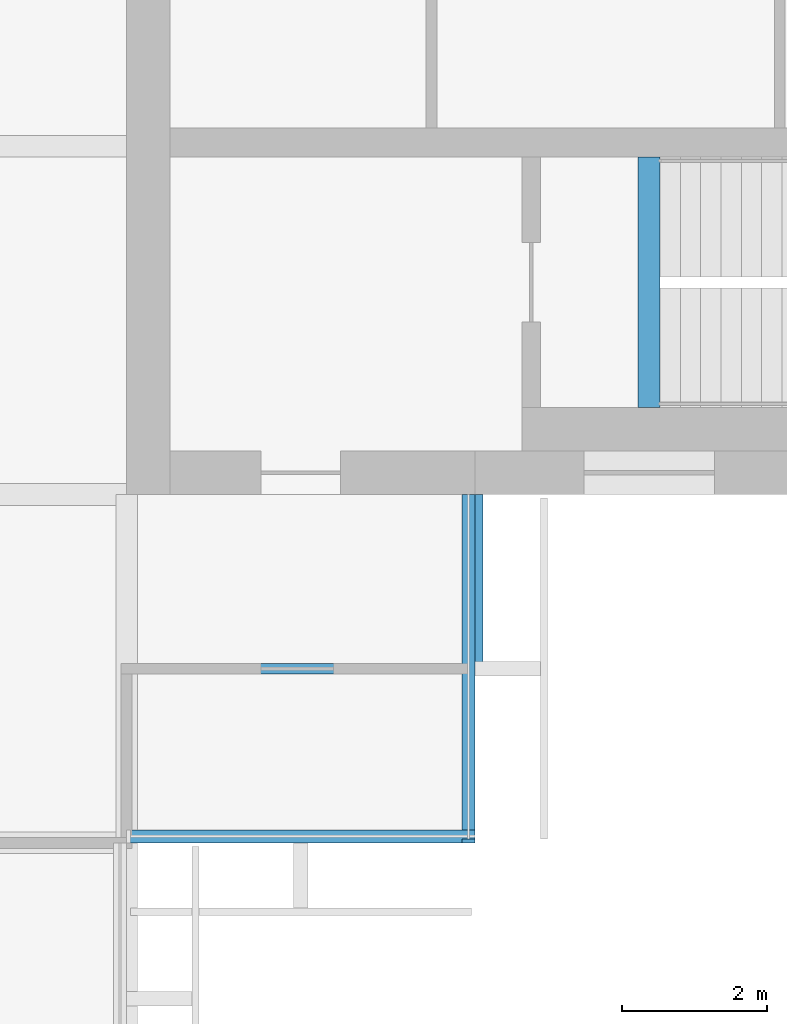
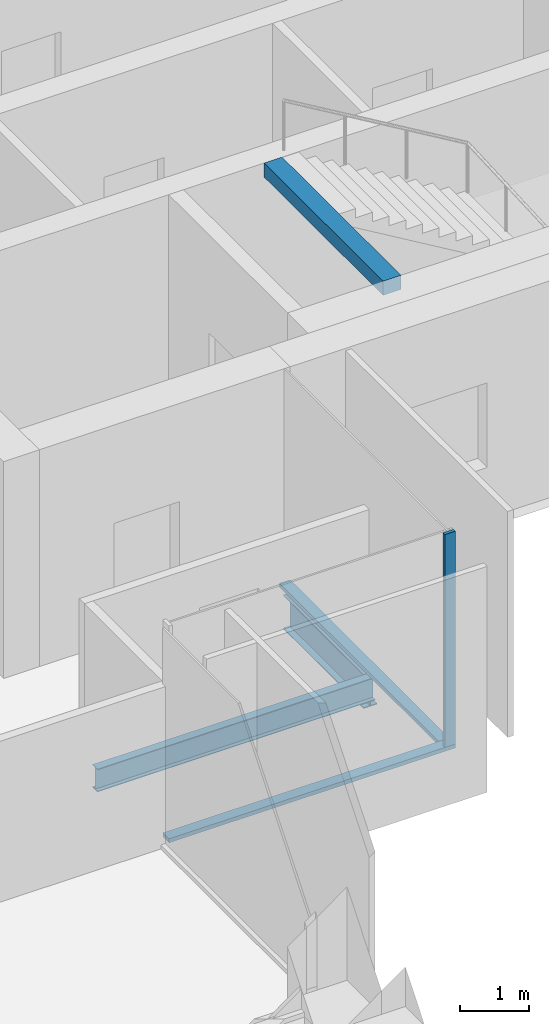
# One storey, part 4 of 12: 3 beams, 3 members, 2 elements without a shape of their own.
"""IFC4 building model written with IfcOpenShell, lengths in metres."""

from ifc_helpers import new_model, si_unit, direction, frame, origin, origin_2d, place, context, subcontext, project, spatial, rectangle, i_section, extrude, material, material_profile, profile_set, type_object, element, aggregate, save


model = new_model("IFC4")

# Units and contexts
model_context = context("Model", 3, precision=1e-05, world=origin(), true_north=direction((0.0, 1.0)))
body_context = subcontext(model_context, "Body", "Model", "MODEL_VIEW")
ifc_project = project(units=[si_unit("LENGTHUNIT", "METRE"), si_unit("AREAUNIT", "SQUARE_METRE"), si_unit("VOLUMEUNIT", "CUBIC_METRE"), si_unit("PLANEANGLEUNIT", "RADIAN"), si_unit("MASSUNIT", "GRAM", prefix="KILO")], contexts=[model_context])

# Site, building, storey
site_placement = place(None, origin())
site = spatial("IfcSite", under=ifc_project, at=site_placement, CompositionType="ELEMENT")
building_placement = place(site_placement, origin())
building = spatial("IfcBuilding", under=site, at=building_placement, Name="Baori Bourse Tower", CompositionType="ELEMENT")
storey_placement = place(building_placement, frame((0.0, 0.0, 310.300048828125)))
storey = spatial("IfcBuildingStorey", under=building, at=storey_placement, Name="L68", CompositionType="ELEMENT", Elevation=310.300048828125)

# Curtain wall, member
ifc_material_1 = material(Name="Pale anodised aluminium", Category="aluminium")
curtain_wall_type = type_object("IfcCurtainWallType", Name="CW2 Curtain wall", PredefinedType="NOTDEFINED", material=ifc_material_1)
curtain_wall_1_placement = place(storey_placement, origin())
curtain_wall_1 = element("IfcCurtainWall", 1, at=curtain_wall_1_placement, inside=storey, type_object=curtain_wall_type, Name="Curtain wall CW2 L68 14", PredefinedType="NOTDEFINED")
ifc_material_2 = material(Name="Pale anodised aluminium", Category="aluminium")
ifc_material_profile_1 = material_profile(ifc_material_2, rectangle(XDim=0.179931640625, YDim=0.054931640625, at=origin_2d()), Name="Mullion 55x180")
ifc_profile_set_1 = profile_set([ifc_material_profile_1], Name="Pale anodised aluminium")
member_type_1 = type_object("IfcMemberType", Name="CW2 Curtain wall mullion", PredefinedType="MULLION", material=ifc_profile_set_1)
member_1_placement = place(storey_placement, frame((43.110107421875, 4.827392578125, 0.070068359375), z_axis=(0.0, 0.0, 1.0), x_axis=(-1.0, 0.0, 0.0)))
member_1 = element("IfcMember", 2, at=member_1_placement, type_object=member_type_1, Name="Curtain wall CW2 mullion", PredefinedType="MULLION", context=body_context, shape_type="SweptSolid", body=[
    extrude(rectangle(XDim=0.179931640625, YDim=0.054931640625, at=origin_2d()), origin(), (0.0, 0.0, 1.0), 3.769775390625),
])

curtain_wall_2_placement = place(storey_placement, origin())
curtain_wall_2 = element("IfcCurtainWall", 3, at=curtain_wall_2_placement, inside=storey, type_object=curtain_wall_type, Name="Curtain wall CW2 L68 13", PredefinedType="NOTDEFINED")
ifc_material_3 = material(Name="Pale anodised aluminium", Category="aluminium")
ifc_material_profile_2 = material_profile(ifc_material_3, rectangle(XDim=0.179931640625, YDim=0.070068359375, at=origin_2d()), Name="Transom 70x180")
ifc_profile_set_2 = profile_set([ifc_material_profile_2], Name="Pale anodised aluminium")
member_type_2 = type_object("IfcMemberType", Name="CW2 Curtain wall transom", PredefinedType="USERDEFINED", material=ifc_profile_set_2)
member_2_placement = place(storey_placement, frame((38.39990234375, 4.889892578125, 0.034912109375), z_axis=(1.0, 0.0, 0.0), x_axis=(0.0, 1.0, 0.0)))
member_2 = element("IfcMember", 4, at=member_2_placement, type_object=member_type_2, Name="Curtain wall CW2 sill rail", ObjectType="TRANSOM", PredefinedType="USERDEFINED", context=body_context, shape_type="SweptSolid", body=[
    extrude(rectangle(XDim=0.179931640625, YDim=0.070068359375, at=origin_2d()), origin(), (0.0, 0.0, 1.0), 4.800048828125),
])
aggregate(curtain_wall_2, [member_2])

# Member
member_3_placement = place(storey_placement, frame((43.110107421875, 4.800048828125, 0.034912109375), z_axis=(0.0, 1.0, 0.0), x_axis=(-1.0, 0.0, 0.0)))
member_3 = element("IfcMember", 5, at=member_3_placement, type_object=member_type_2, Name="Curtain wall CW2 sill rail", ObjectType="TRANSOM", PredefinedType="USERDEFINED", context=body_context, shape_type="SweptSolid", body=[
    extrude(rectangle(XDim=0.179931640625, YDim=0.070068359375, at=origin_2d()), origin(), (0.0, 0.0, 1.0), 4.800048828125),
])

aggregate(curtain_wall_1, [member_3, member_1])

# Beams
ifc_material_4 = material(Name="Steel A992 Gr 50", Category="steel")
ifc_material_profile_3 = material_profile(ifc_material_4, i_section(OverallWidth=0.227783203125, OverallDepth=0.60205078125, WebThickness=0.010498046875, FlangeThickness=0.014892578125, at=origin_2d()), Name="W24x68")
ifc_profile_set_3 = profile_set([ifc_material_profile_3], Name="Steel A992 Gr 50")
beam_type_1 = type_object("IfcBeamType", Name="Core bracket W24x68", PredefinedType="BEAM", material=ifc_profile_set_3)
beam_1_placement = place(storey_placement, frame((43.199951171875, 7.270263671875, -0.4609375), z_axis=(0.0, 1.0, 0.0), x_axis=(-1.0, 0.0, 0.0)))
element("IfcBeam", 6, at=beam_1_placement, inside=storey, type_object=beam_type_1, Name="Core bracket L68", PredefinedType="BEAM", context=body_context, shape_type="SweptSolid", body=[
    extrude(i_section(OverallWidth=0.227783203125, OverallDepth=0.60205078125, WebThickness=0.010498046875, FlangeThickness=0.014892578125, at=origin_2d()), origin(), (0.0, 0.0, 1.0), 2.329833984375),
])
ifc_material_5 = material(Name="Concrete f'c 50 MPa", Category="concrete")
ifc_material_profile_4 = material_profile(ifc_material_5, rectangle(XDim=0.300048828125, YDim=0.25, at=origin_2d()), Name="RC 300x250")
ifc_profile_set_4 = profile_set([ifc_material_profile_4], Name="Concrete f'c 50 MPa")
beam_type_2 = type_object("IfcBeamType", Name="Stair nib beam RC 300x250", PredefinedType="BEAM", material=ifc_profile_set_4)
beam_2_placement = place(storey_placement, frame((45.60009765625, 10.800048828125, 3.71484375), z_axis=(0.0, 1.0, 0.0), x_axis=(-1.0, 0.0, 0.0)))
element("IfcBeam", 7, at=beam_2_placement, inside=storey, type_object=beam_type_2, Name="Stair EA nib beam L69", PredefinedType="BEAM", context=body_context, shape_type="SweptSolid", body=[
    extrude(rectangle(XDim=0.300048828125, YDim=0.25, at=origin_2d()), origin(), (0.0, 0.0, 1.0), 3.449951171875),
])
ifc_material_6 = material(Name="Steel A992 Gr 50", Category="steel")
ifc_material_profile_5 = material_profile(ifc_material_6, i_section(OverallWidth=0.140380859375, OverallDepth=0.40380859375, WebThickness=0.007080078125, FlangeThickness=0.01123046875, at=origin_2d()), Name="W16x31")
ifc_profile_set_5 = profile_set([ifc_material_profile_5], Name="Steel A992 Gr 50")
beam_type_3 = type_object("IfcBeamType", Name="Trimmer beam W16x31", PredefinedType="BEAM", material=ifc_profile_set_5)
beam_3_placement = place(storey_placement, frame((38.546142578125, 7.199951171875, -0.362060546875), z_axis=(1.0, 0.0, 0.0), x_axis=(0.0, 1.0, 0.0)))
element("IfcBeam", 8, at=beam_3_placement, inside=storey, type_object=beam_type_3, Name="Trimmer beam L68", PredefinedType="BEAM", context=body_context, shape_type="SweptSolid", body=[
    extrude(i_section(OverallWidth=0.140380859375, OverallDepth=0.40380859375, WebThickness=0.007080078125, FlangeThickness=0.01123046875, at=origin_2d()), origin(), (0.0, 0.0, 1.0), 4.65380859375),
])

save(model, "model.ifc")
